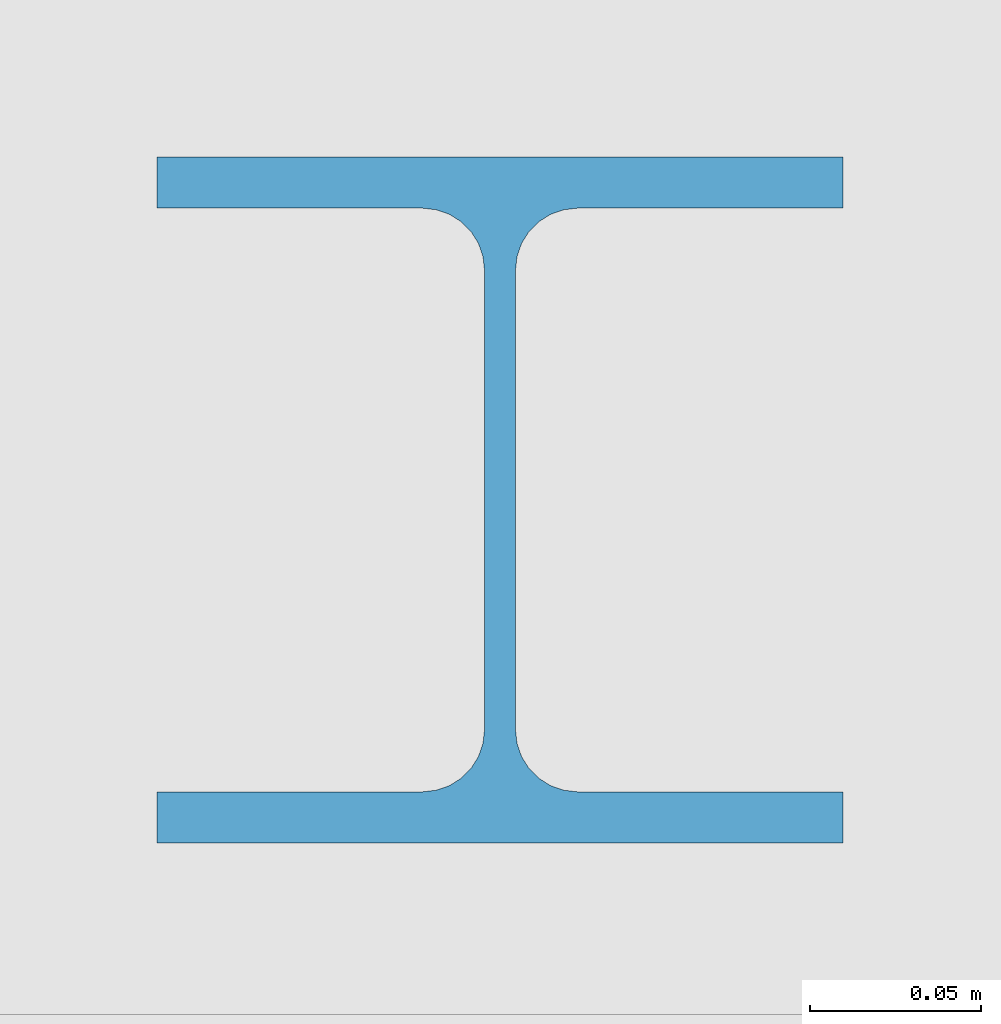
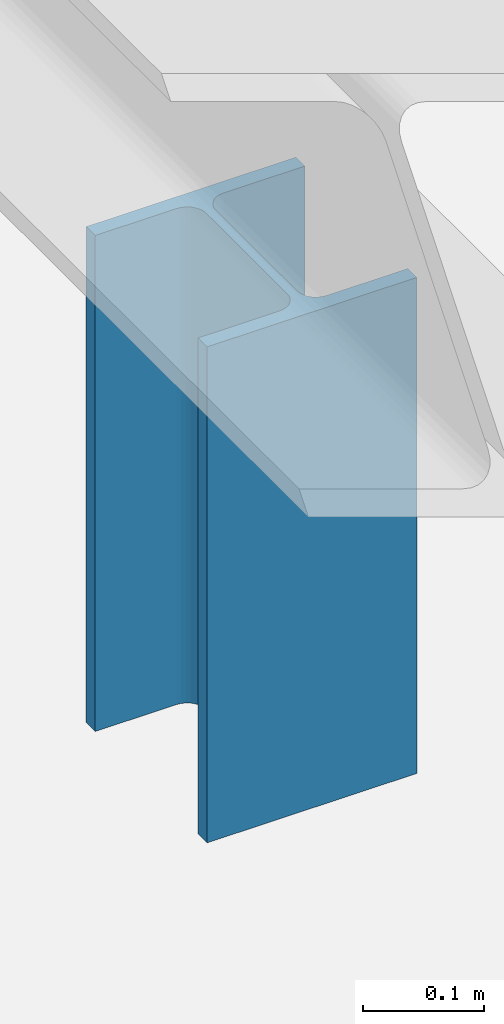
# One storey, part 6 of 12: 1 member.
"""IFC4 building model written with IfcOpenShell, lengths in metres."""

from ifc_helpers import new_model, si_unit, direction, frame, origin, origin_2d, place, context, subcontext, project, spatial, i_section, extrude, material, material_profile, profile_set, type_object, element, save


model = new_model("IFC4")

# Units and contexts
model_context = context("Model", 3, precision=1e-05, world=origin(), true_north=direction((0.0, 1.0)))
body_context = subcontext(model_context, "Body", "Model", "MODEL_VIEW")
ifc_project = project(units=[si_unit("LENGTHUNIT", "METRE"), si_unit("AREAUNIT", "SQUARE_METRE"), si_unit("VOLUMEUNIT", "CUBIC_METRE"), si_unit("PLANEANGLEUNIT", "RADIAN"), si_unit("MASSUNIT", "GRAM", prefix="KILO")], contexts=[model_context])

# Site, building, storey
site_placement = place(None, origin())
site = spatial("IfcSite", under=ifc_project, at=site_placement, CompositionType="ELEMENT")
building_placement = place(site_placement, origin())
building = spatial("IfcBuilding", under=site, at=building_placement, Name="Khuree Lantern Residences", CompositionType="ELEMENT")
storey_placement = place(building_placement, frame((0.0, 0.0, 363.25)))
storey = spatial("IfcBuildingStorey", under=building, at=storey_placement, Name="RF", CompositionType="ELEMENT", Elevation=363.25)

# Member
ifc_material = material(Name="Steel S355", Category="steel")
ifc_material_profile = material_profile(ifc_material, i_section(OverallWidth=0.199951171875, OverallDepth=0.199951171875, WebThickness=0.009033203125, FlangeThickness=0.014892578125, FilletRadius=0.01806640625, at=origin_2d()), Name="HE 200 B")
ifc_profile_set = profile_set([ifc_material_profile], Name="Steel S355")
member_type = type_object("IfcMemberType", Name="BM2 GANTRY TRACK PEDESTAL HE 200 B", PredefinedType="POST", material=ifc_profile_set)
member_placement = place(storey_placement, frame((-17.0, 7.47998046875, 0.0), z_axis=(0.0, 0.0, 1.0), x_axis=(1.0, 0.0, 0.0)))
element("IfcMember", 1, at=member_placement, inside=storey, type_object=member_type, Name="Gantry track pedestal 17", PredefinedType="POST", context=body_context, shape_type="SweptSolid", body=[
    extrude(i_section(OverallWidth=0.199951171875, OverallDepth=0.199951171875, WebThickness=0.009033203125, FlangeThickness=0.014892578125, FilletRadius=0.01806640625, at=origin_2d()), origin(), (0.0, 0.0, 1.0), 0.5),
])

save(model, "model.ifc")
